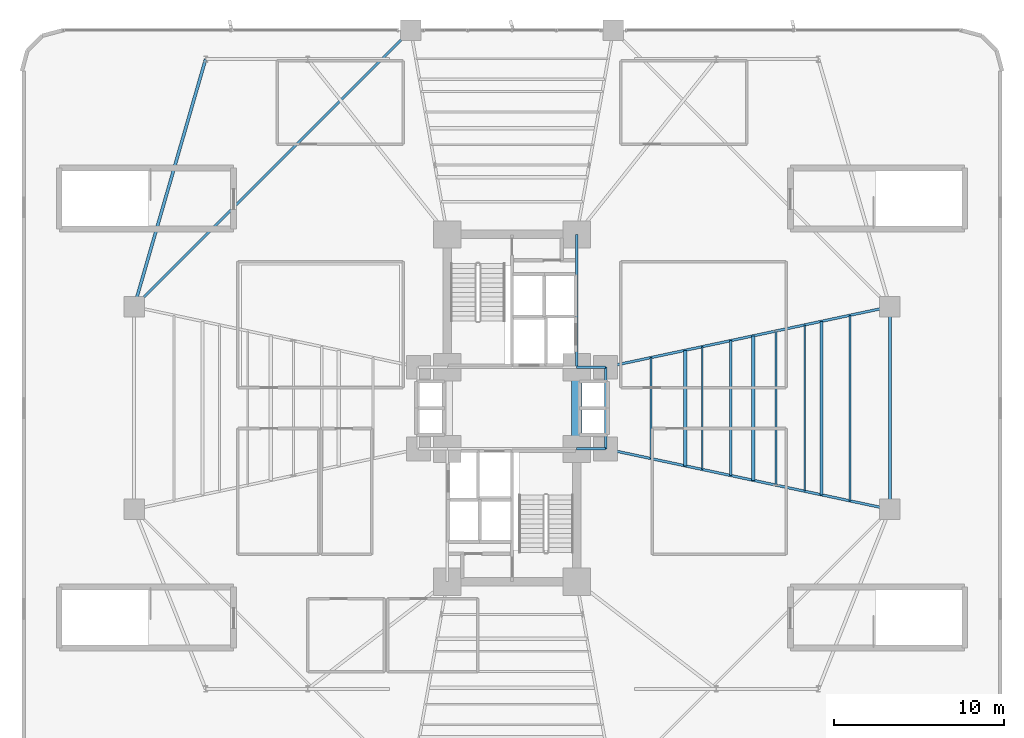
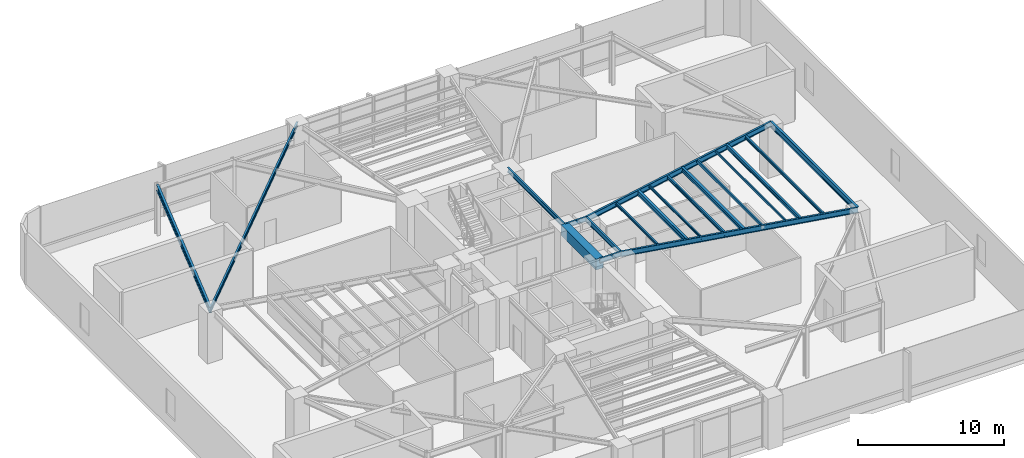
# One storey, part 12 of 26: 19 beams.
"""IFC4 building model written with IfcOpenShell, lengths in metres."""

from ifc_helpers import new_model, si_unit, direction, frame, origin, origin_2d, place, context, subcontext, project, spatial, rectangle, hollow_rectangle, i_section, extrude, source, transform, mapped, material, material_profile, profile_set, type_object, element, save


model = new_model("IFC4")

# Units and contexts
model_context = context("Model", 3, precision=1e-05, world=origin(), true_north=direction((0.0, 1.0)))
body_context = subcontext(model_context, "Body", "Model", "MODEL_VIEW")
ifc_project = project(units=[si_unit("LENGTHUNIT", "METRE"), si_unit("AREAUNIT", "SQUARE_METRE"), si_unit("VOLUMEUNIT", "CUBIC_METRE"), si_unit("PLANEANGLEUNIT", "RADIAN"), si_unit("MASSUNIT", "GRAM", prefix="KILO")], contexts=[model_context])

# Site, building, storey
site_placement = place(None, origin())
site = spatial("IfcSite", under=ifc_project, at=site_placement, CompositionType="ELEMENT")
building_placement = place(site_placement, origin())
building = spatial("IfcBuilding", under=site, at=building_placement, Name="Sahyath Konkavel Grand Hotel", CompositionType="ELEMENT")
storey_placement = place(building_placement, frame((0.0, 0.0, 18.60009765625)))
storey = spatial("IfcBuildingStorey", under=building, at=storey_placement, Name="L04", CompositionType="ELEMENT", Elevation=18.60009765625)

# Beams
ifc_material_1 = material(Name="Concrete C70/85", Category="concrete")
ifc_material_profile_1 = material_profile(ifc_material_1, rectangle(XDim=0.60009765625, YDim=0.89990234375, at=origin_2d()), Name="RC 600x900")
ifc_profile_set_1 = profile_set([ifc_material_profile_1], Name="Concrete C70/85")
beam_type_1 = type_object("IfcBeamType", Name="BM-CB600x900", PredefinedType="LINTEL", material=ifc_profile_set_1)
shared_shape_1 = source(origin(), body_context, "Body", "SweptSolid", [
    extrude(rectangle(XDim=0.60009765625, YDim=0.89990234375, at=origin_2d()), origin(), (0.0, 0.0, 1.0), 4.7998046875),
])
beam_1_placement = place(storey_placement, frame((3.800048828125, -2.39990234375, 3.809814453125), z_axis=(0.0, 1.0, 0.0), x_axis=(-1.0, 0.0, 0.0)))
element("IfcBeam", 1, at=beam_1_placement, inside=storey, type_object=beam_type_1, Name="L04 Split-Core Coupling Beam East", PredefinedType="LINTEL", context=body_context, shape_type="MappedRepresentation", body=[
    mapped(shared_shape_1, transform((0.0, 0.0, 0.0), scale=1.0)),
])
ifc_material_2 = material(Name="Steel E350", Category="steel")
ifc_material_profile_2 = material_profile(ifc_material_2, i_section(OverallWidth=0.139892578125, OverallDepth=0.39990234375, WebThickness=0.0087890625, FlangeThickness=0.01611328125, FilletRadius=0.013916015625, at=origin_2d()), Name="ISMB 400")
ifc_profile_set_2 = profile_set([ifc_material_profile_2], Name="Steel E350")
beam_type_2 = type_object("IfcBeamType", Name="BM-ISMB400", PredefinedType="BEAM", material=ifc_profile_set_2)
shared_shape_2 = source(origin(), body_context, "Body", "SweptSolid", [
    extrude(i_section(OverallWidth=0.139892578125, OverallDepth=0.39990234375, WebThickness=0.0087890625, FlangeThickness=0.01611328125, FilletRadius=0.013916015625, at=origin_2d()), origin(), (0.0, 0.0, 1.0), 7.800048828125),
])
beam_2_placement = place(storey_placement, frame((3.800048828125, 2.39990234375, 4.059814453125), z_axis=(0.0, 1.0, 0.0), x_axis=(-1.0, 0.0, 0.0)))
element("IfcBeam", 2, at=beam_2_placement, inside=storey, type_object=beam_type_2, Name="str:bm:L04:NC-E", PredefinedType="BEAM", context=body_context, shape_type="MappedRepresentation", body=[
    mapped(shared_shape_2, transform((0.0, 0.0, 0.0), scale=1.0)),
])
shared_shape_3 = source(origin(), body_context, "Body", "SweptSolid", [
    extrude(i_section(OverallWidth=0.139892578125, OverallDepth=0.39990234375, WebThickness=0.0087890625, FlangeThickness=0.01611328125, FilletRadius=0.013916015625, at=origin_2d()), origin(), (0.0, 0.0, 1.0), 1.699951171875),
])
for number, where, z_axis, x_axis, name in (
    (3, (3.800048828125, 2.39990234375, 4.059814453125), (1.0, 0.0, 0.0), (0.0, 1.0, 0.0), "str:bm:L04:HB-NE"),
    (4, (3.800048828125, -2.39990234375, 4.059814453125), (1.0, 0.0, 0.0), (0.0, 1.0, 0.0), "str:bm:L04:HB-SE"),
):
    element("IfcBeam", number, at=place(storey_placement, frame(where, z_axis=z_axis, x_axis=x_axis)), inside=storey, type_object=beam_type_2, Name=name, PredefinedType="BEAM", context=body_context, shape_type="MappedRepresentation", body=[
        mapped(shared_shape_3, transform((0.0, 0.0, 0.0), scale=1.0)),
    ])
shared_shape_4 = source(origin(), body_context, "Body", "SweptSolid", [
    extrude(i_section(OverallWidth=0.139892578125, OverallDepth=0.39990234375, WebThickness=0.0087890625, FlangeThickness=0.01611328125, FilletRadius=0.013916015625, at=origin_2d()), origin(), (0.0, 0.0, 1.0), 4.7998046875),
])
beam_3_placement = place(storey_placement, frame((5.5, -2.39990234375, 4.059814453125), z_axis=(0.0, 1.0, 0.0), x_axis=(-1.0, 0.0, 0.0)))
element("IfcBeam", 5, at=beam_3_placement, inside=storey, type_object=beam_type_2, Name="str:bm:L04:HB-E", PredefinedType="BEAM", context=body_context, shape_type="MappedRepresentation", body=[
    mapped(shared_shape_4, transform((0.0, 0.0, 0.0), scale=1.0)),
])
ifc_material_profile_3 = material_profile(ifc_material_2, i_section(OverallWidth=0.179931640625, OverallDepth=0.5, WebThickness=0.01025390625, FlangeThickness=0.01708984375, FilletRadius=0.01708984375, at=origin_2d()), Name="ISMB 500")
ifc_profile_set_3 = profile_set([ifc_material_profile_3], Name="Steel E350")
beam_type_3 = type_object("IfcBeamType", Name="BM-ISMB500", PredefinedType="BEAM", material=ifc_profile_set_3)
shared_shape_5 = source(origin(), body_context, "Body", "SweptSolid", [
    extrude(i_section(OverallWidth=0.179931640625, OverallDepth=0.5, WebThickness=0.01025390625, FlangeThickness=0.01708984375, FilletRadius=0.01708984375, at=origin_2d()), origin(), (0.0, 0.0, 1.0), 15.14404296875),
])
beam_4_placement = place(storey_placement, frame((-18.0, 20.5, 3.949951171875), z_axis=(-0.277332657483, -0.960773957335, 0.0), x_axis=(0.960773957335, -0.277332657483, 0.0)))
element("IfcBeam", 6, at=beam_4_placement, inside=storey, type_object=beam_type_3, Name="str:bm:L04:POD34-09", PredefinedType="BEAM", context=body_context, shape_type="MappedRepresentation", body=[
    mapped(shared_shape_5, transform((0.0, 0.0, 0.0), scale=1.0)),
])
shared_shape_6 = source(origin(), body_context, "Body", "SweptSolid", [
    extrude(i_section(OverallWidth=0.179931640625, OverallDepth=0.5, WebThickness=0.01025390625, FlangeThickness=0.01708984375, FilletRadius=0.01708984375, at=origin_2d()), origin(), (0.0, 0.0, 1.0), 11.89990234375),
])
beam_5_placement = place(storey_placement, frame((22.199951171875, -5.949951171875, 4.010009765625), z_axis=(0.0, 1.0, 0.0), x_axis=(-1.0, 0.0, 0.0)))
element("IfcBeam", 7, at=beam_5_placement, inside=storey, type_object=beam_type_3, Name="L04 Wing Tip Edge Beam E", PredefinedType="BEAM", context=body_context, shape_type="MappedRepresentation", body=[
    mapped(shared_shape_6, transform((0.0, 0.0, 0.0), scale=1.0)),
])
ifc_material_profile_4 = material_profile(ifc_material_2, i_section(OverallWidth=0.139892578125, OverallDepth=0.35009765625, WebThickness=0.008056640625, FlangeThickness=0.01416015625, FilletRadius=0.013916015625, at=origin_2d()), Name="ISMB 350")
ifc_profile_set_4 = profile_set([ifc_material_profile_4], Name="Steel E350")
beam_type_4 = type_object("IfcBeamType", Name="BM-ISMB350", PredefinedType="BEAM", material=ifc_profile_set_4)
shared_shape_7 = source(origin(), body_context, "Body", "SweptSolid", [
    extrude(i_section(OverallWidth=0.139892578125, OverallDepth=0.35009765625, WebThickness=0.008056640625, FlangeThickness=0.01416015625, FilletRadius=0.013916015625, at=origin_2d()), origin(), (0.0, 0.0, 1.0), 22.98095703125),
])
beam_6_placement = place(storey_placement, frame((-5.949951171875, 22.199951171875, 4.02490234375), z_axis=(-0.707106781187, -0.707106781187, 0.0), x_axis=(0.707106781187, -0.707106781187, 0.0)))
element("IfcBeam", 8, at=beam_6_placement, inside=storey, type_object=beam_type_4, Name="L04 Re-Entrant Tie Beam NW", PredefinedType="BEAM", context=body_context, shape_type="MappedRepresentation", body=[
    mapped(shared_shape_7, transform((0.0, 0.0, 0.0), scale=1.0)),
])
ifc_material_profile_5 = material_profile(ifc_material_2, i_section(OverallWidth=0.199951171875, OverallDepth=0.39990234375, WebThickness=0.008544921875, FlangeThickness=0.012939453125, FilletRadius=0.014892578125, at=origin_2d()), Name="ISWB 400")
ifc_profile_set_5 = profile_set([ifc_material_profile_5], Name="Steel E350")
beam_type_5 = type_object("IfcBeamType", Name="BM-ISWB400", PredefinedType="BEAM", material=ifc_profile_set_5)
shared_shape_8 = source(origin(), body_context, "Body", "SweptSolid", [
    extrude(i_section(OverallWidth=0.199951171875, OverallDepth=0.39990234375, WebThickness=0.008544921875, FlangeThickness=0.012939453125, FilletRadius=0.014892578125, at=origin_2d()), origin(), (0.0, 0.0, 1.0), 6.7880859375),
])
beam_7_placement = place(storey_placement, frame((10.176025390625, -3.39404296875, 4.059814453125), z_axis=(0.0, 1.0, 0.0), x_axis=(-1.0, 0.0, 0.0)))
element("IfcBeam", 9, at=beam_7_placement, inside=storey, type_object=beam_type_5, Name="L04 Secondary Floor Beam E-1", PredefinedType="BEAM", context=body_context, shape_type="MappedRepresentation", body=[
    mapped(shared_shape_8, transform((0.0, 0.0, 0.0), scale=1.0)),
])
ifc_material_profile_6 = material_profile(ifc_material_2, i_section(OverallWidth=0.199951171875, OverallDepth=0.35009765625, WebThickness=0.008056640625, FlangeThickness=0.011474609375, FilletRadius=0.013916015625, at=origin_2d()), Name="ISWB 350")
ifc_profile_set_6 = profile_set([ifc_material_profile_6], Name="Steel E350")
beam_type_6 = type_object("IfcBeamType", Name="BM-ISWB350", PredefinedType="BEAM", material=ifc_profile_set_6)
shared_shape_9 = source(origin(), body_context, "Body", "SweptSolid", [
    extrude(i_section(OverallWidth=0.199951171875, OverallDepth=0.35009765625, WebThickness=0.008056640625, FlangeThickness=0.011474609375, FilletRadius=0.013916015625, at=origin_2d()), origin(), (0.0, 0.0, 1.0), 8.4921875),
])
beam_8_placement = place(storey_placement, frame((14.18408203125, -4.24609375, 4.0849609375), z_axis=(0.0, 1.0, 0.0), x_axis=(-1.0, 0.0, 0.0)))
element("IfcBeam", 10, at=beam_8_placement, inside=storey, type_object=beam_type_6, Name="L04 Secondary Floor Beam E-2", PredefinedType="BEAM", context=body_context, shape_type="MappedRepresentation", body=[
    mapped(shared_shape_9, transform((0.0, 0.0, 0.0), scale=1.0)),
])
ifc_material_profile_7 = material_profile(ifc_material_2, i_section(OverallWidth=0.1650390625, OverallDepth=0.324951171875, WebThickness=0.007080078125, FlangeThickness=0.009765625, FilletRadius=0.014892578125, at=origin_2d()), Name="ISLB 325")
ifc_profile_set_7 = profile_set([ifc_material_profile_7], Name="Steel E350")
beam_type_7 = type_object("IfcBeamType", Name="BM-ISLB325", PredefinedType="BEAM", material=ifc_profile_set_7)
shared_shape_10 = source(origin(), body_context, "Body", "SweptSolid", [
    extrude(i_section(OverallWidth=0.1650390625, OverallDepth=0.324951171875, WebThickness=0.007080078125, FlangeThickness=0.009765625, FilletRadius=0.014892578125, at=origin_2d()), origin(), (0.0, 0.0, 1.0), 10.19580078125),
])
beam_9_placement = place(storey_placement, frame((18.19189453125, -5.097900390625, 4.097412109375), z_axis=(0.0, 1.0, 0.0), x_axis=(-1.0, 0.0, 0.0)))
element("IfcBeam", 11, at=beam_9_placement, inside=storey, type_object=beam_type_7, Name="L04 Secondary Floor Beam E-3", PredefinedType="BEAM", context=body_context, shape_type="MappedRepresentation", body=[
    mapped(shared_shape_10, transform((0.0, 0.0, 0.0), scale=1.0)),
])
ifc_material_profile_8 = material_profile(ifc_material_2, i_section(OverallWidth=0.14990234375, OverallDepth=0.449951171875, WebThickness=0.009521484375, FlangeThickness=0.017333984375, FilletRadius=0.014892578125, at=origin_2d()), Name="ISMB 450")
ifc_profile_set_8 = profile_set([ifc_material_profile_8], Name="Steel E350")
beam_type_8 = type_object("IfcBeamType", Name="BM-ISMB450", PredefinedType="BEAM", material=ifc_profile_set_8)
shared_shape_11 = source(origin(), body_context, "Body", "SweptSolid", [
    extrude(i_section(OverallWidth=0.14990234375, OverallDepth=0.449951171875, WebThickness=0.009521484375, FlangeThickness=0.017333984375, FilletRadius=0.014892578125, at=origin_2d()), origin(), (0.0, 0.0, 1.0), 17.072998046875),
])
for number, where, z_axis, x_axis, name in (
    (12, (5.5, -2.39990234375, 4.034912109375), (0.978143257225, -0.20793212437, 0.0), (0.20793212437, 0.978143257225, 0.0), "L04 Cruciform Radial Girder EA"),
    (13, (5.5, 2.39990234375, 4.034912109375), (0.978143257225, 0.20793212437, 0.0), (-0.20793212437, 0.978143257225, 0.0), "L04 Cruciform Radial Girder EB"),
):
    element("IfcBeam", number, at=place(storey_placement, frame(where, z_axis=z_axis, x_axis=x_axis)), inside=storey, type_object=beam_type_8, Name=name, PredefinedType="BEAM", context=body_context, shape_type="MappedRepresentation", body=[
        mapped(shared_shape_11, transform((0.0, 0.0, 0.0), scale=1.0)),
    ])
ifc_material_profile_9 = material_profile(ifc_material_2, i_section(OverallWidth=0.110107421875, OverallDepth=0.22509765625, WebThickness=0.006591796875, FlangeThickness=0.01171875, FilletRadius=0.011962890625, at=origin_2d()), Name="ISMB 225")
ifc_profile_set_9 = profile_set([ifc_material_profile_9], Name="Steel E350")
beam_type_9 = type_object("IfcBeamType", Name="BM-ISMB225", PredefinedType="BEAM", material=ifc_profile_set_9)
shared_shape_12 = source(origin(), body_context, "Body", "SweptSolid", [
    extrude(i_section(OverallWidth=0.110107421875, OverallDepth=0.22509765625, WebThickness=0.006591796875, FlangeThickness=0.01171875, FilletRadius=0.011962890625, at=origin_2d()), origin(), (0.0, 0.0, 1.0), 5.93603515625),
])
beam_10_placement = place(storey_placement, frame((8.172119140625, -2.968017578125, 4.08740234375), z_axis=(0.0, 1.0, 0.0), x_axis=(-1.0, 0.0, 0.0)))
element("IfcBeam", 14, at=beam_10_placement, inside=storey, type_object=beam_type_9, Name="L04 Composite Deck Sub-Beam E-1", PredefinedType="BEAM", context=body_context, shape_type="MappedRepresentation", body=[
    mapped(shared_shape_12, transform((0.0, 0.0, 0.0), scale=1.0)),
])
ifc_material_profile_10 = material_profile(ifc_material_2, i_section(OverallWidth=0.10009765625, OverallDepth=0.199951171875, WebThickness=0.005615234375, FlangeThickness=0.0107421875, FilletRadius=0.010986328125, at=origin_2d()), Name="ISMB 200")
ifc_profile_set_10 = profile_set([ifc_material_profile_10], Name="Steel E350")
beam_type_10 = type_object("IfcBeamType", Name="BM-ISMB200", PredefinedType="BEAM", material=ifc_profile_set_10)
shared_shape_13 = source(origin(), body_context, "Body", "SweptSolid", [
    extrude(i_section(OverallWidth=0.10009765625, OverallDepth=0.199951171875, WebThickness=0.005615234375, FlangeThickness=0.0107421875, FilletRadius=0.010986328125, at=origin_2d()), origin(), (0.0, 0.0, 1.0), 7.2138671875),
])
beam_11_placement = place(storey_placement, frame((11.177978515625, -3.60693359375, 4.099853515625), z_axis=(0.0, 1.0, 0.0), x_axis=(-1.0, 0.0, 0.0)))
element("IfcBeam", 15, at=beam_11_placement, inside=storey, type_object=beam_type_10, Name="L04 Composite Deck Sub-Beam E-2", PredefinedType="BEAM", context=body_context, shape_type="MappedRepresentation", body=[
    mapped(shared_shape_13, transform((0.0, 0.0, 0.0), scale=1.0)),
])
ifc_material_profile_11 = material_profile(ifc_material_2, i_section(OverallWidth=0.139892578125, OverallDepth=0.27490234375, WebThickness=0.00634765625, FlangeThickness=0.0087890625, FilletRadius=0.012939453125, at=origin_2d()), Name="ISLB 275")
ifc_profile_set_11 = profile_set([ifc_material_profile_11], Name="Steel E350")
beam_type_11 = type_object("IfcBeamType", Name="BM-ISLB275", PredefinedType="BEAM", material=ifc_profile_set_11)
shared_shape_14 = source(origin(), body_context, "Body", "SweptSolid", [
    extrude(i_section(OverallWidth=0.139892578125, OverallDepth=0.27490234375, WebThickness=0.00634765625, FlangeThickness=0.0087890625, FilletRadius=0.012939453125, at=origin_2d()), origin(), (0.0, 0.0, 1.0), 7.923828125),
])
beam_12_placement = place(storey_placement, frame((12.847900390625, -3.9619140625, 4.0625), z_axis=(0.0, 1.0, 0.0), x_axis=(-1.0, 0.0, 0.0)))
element("IfcBeam", 16, at=beam_12_placement, inside=storey, type_object=beam_type_11, Name="L04 Composite Deck Sub-Beam E-3", PredefinedType="BEAM", context=body_context, shape_type="MappedRepresentation", body=[
    mapped(shared_shape_14, transform((0.0, 0.0, 0.0), scale=1.0)),
])
ifc_material_profile_12 = material_profile(ifc_material_2, hollow_rectangle(XDim=0.1201171875, YDim=0.219970703125, WallThickness=0.010009765625, at=origin_2d()), Name="RHS 220x120x10")
ifc_profile_set_12 = profile_set([ifc_material_profile_12], Name="Steel E350")
beam_type_12 = type_object("IfcBeamType", Name="BM-RHS220", PredefinedType="BEAM", material=ifc_profile_set_12)
shared_shape_15 = source(origin(), body_context, "Body", "SweptSolid", [
    extrude(hollow_rectangle(XDim=0.1201171875, YDim=0.219970703125, WallThickness=0.010009765625, at=origin_2d()), origin(), (0.0, 0.0, 1.0), 9.06005859375),
])
beam_13_placement = place(storey_placement, frame((15.52001953125, -4.530029296875, 4.08984375), z_axis=(0.0, 1.0, 0.0), x_axis=(-1.0, 0.0, 0.0)))
element("IfcBeam", 17, at=beam_13_placement, inside=storey, type_object=beam_type_12, Name="L04 Composite Deck Sub-Beam E-4", PredefinedType="BEAM", context=body_context, shape_type="MappedRepresentation", body=[
    mapped(shared_shape_15, transform((0.0, 0.0, 0.0), scale=1.0)),
])
ifc_material_profile_13 = material_profile(ifc_material_2, hollow_rectangle(XDim=0.090087890625, YDim=0.179931640625, WallThickness=0.008056640625, at=origin_2d()), Name="RHS 180x90x8")
ifc_profile_set_13 = profile_set([ifc_material_profile_13], Name="Steel E350")
beam_type_13 = type_object("IfcBeamType", Name="BM-RHS180", PredefinedType="BEAM", material=ifc_profile_set_13)
shared_shape_16 = source(origin(), body_context, "Body", "SweptSolid", [
    extrude(hollow_rectangle(XDim=0.090087890625, YDim=0.179931640625, WallThickness=0.008056640625, at=origin_2d()), origin(), (0.0, 0.0, 1.0), 9.77001953125),
])
beam_14_placement = place(storey_placement, frame((17.18994140625, -4.885009765625, 4.10986328125), z_axis=(0.0, 1.0, 0.0), x_axis=(-1.0, 0.0, 0.0)))
element("IfcBeam", 18, at=beam_14_placement, inside=storey, type_object=beam_type_13, Name="L04 Composite Deck Sub-Beam E-5", PredefinedType="BEAM", context=body_context, shape_type="MappedRepresentation", body=[
    mapped(shared_shape_16, transform((0.0, 0.0, 0.0), scale=1.0)),
])
ifc_material_profile_14 = material_profile(ifc_material_2, i_section(OverallWidth=0.125, OverallDepth=0.25, WebThickness=0.0068359375, FlangeThickness=0.012451171875, FilletRadius=0.012939453125, at=origin_2d()), Name="ISMB 250")
ifc_profile_set_14 = profile_set([ifc_material_profile_14], Name="Steel E350")
beam_type_14 = type_object("IfcBeamType", Name="BM-ISMB250", PredefinedType="BEAM", material=ifc_profile_set_14)
shared_shape_17 = source(origin(), body_context, "Body", "SweptSolid", [
    extrude(i_section(OverallWidth=0.125, OverallDepth=0.25, WebThickness=0.0068359375, FlangeThickness=0.012451171875, FilletRadius=0.012939453125, at=origin_2d()), origin(), (0.0, 0.0, 1.0), 10.90576171875),
])
beam_15_placement = place(storey_placement, frame((19.862060546875, -5.452880859375, 4.074951171875), z_axis=(0.0, 1.0, 0.0), x_axis=(-1.0, 0.0, 0.0)))
element("IfcBeam", 19, at=beam_15_placement, inside=storey, type_object=beam_type_14, Name="L04 Composite Deck Sub-Beam E-6", PredefinedType="BEAM", context=body_context, shape_type="MappedRepresentation", body=[
    mapped(shared_shape_17, transform((0.0, 0.0, 0.0), scale=1.0)),
])

save(model, "model.ifc")
